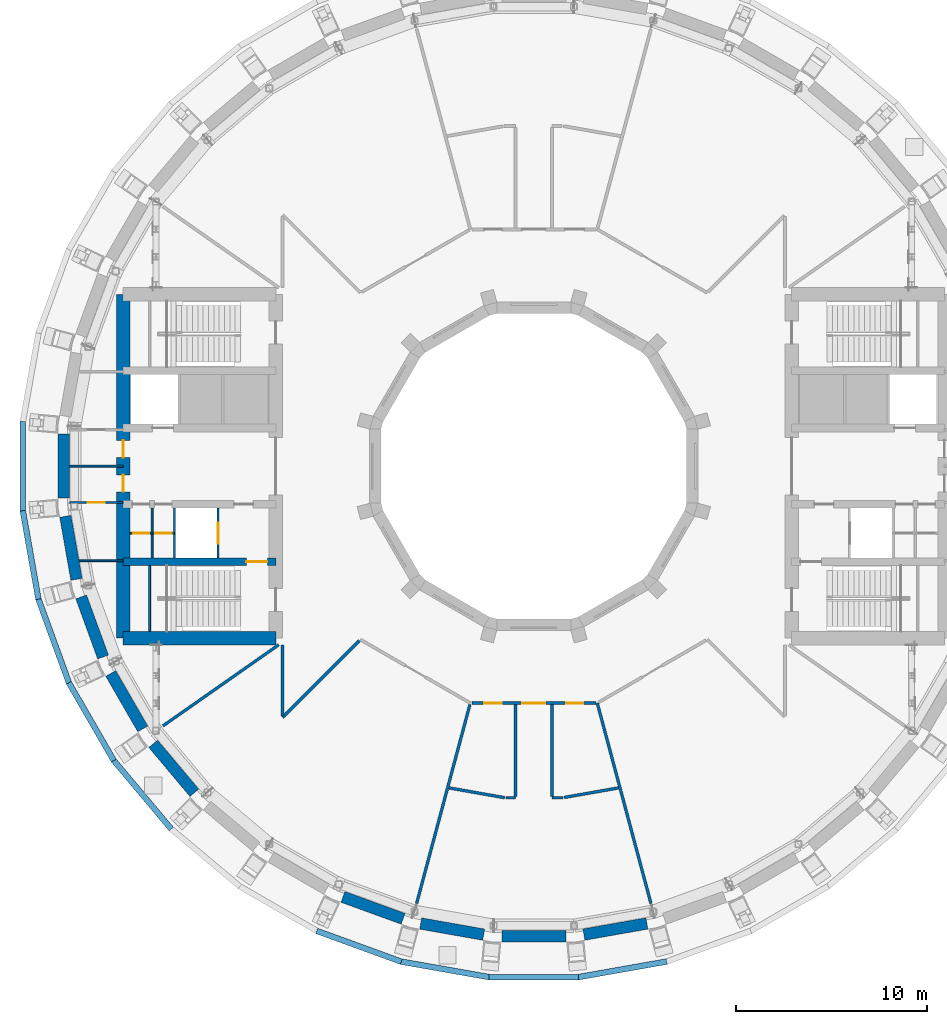
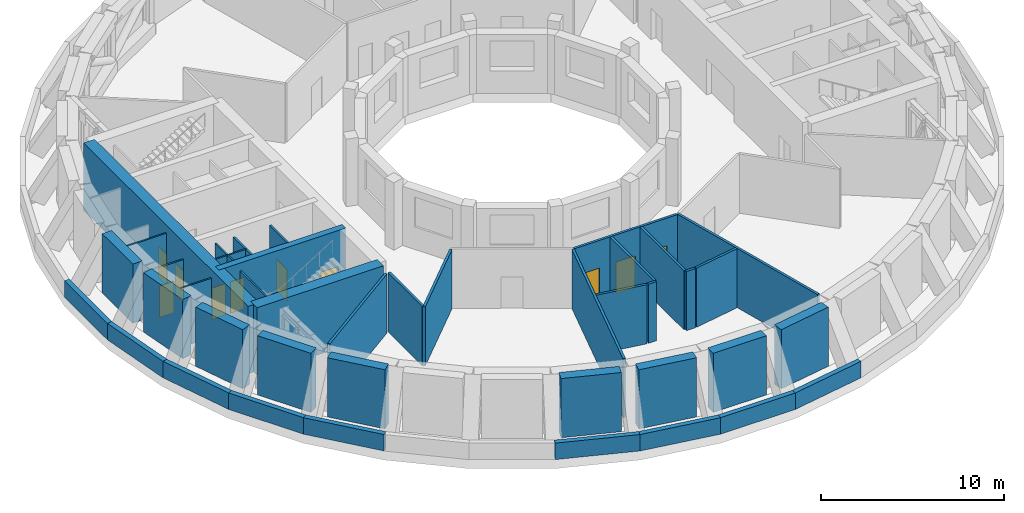
# One storey, part 10 of 20: 42 walls, 10 doors, 10 openings.
"""IFC4 building model written with IfcOpenShell, lengths in metres."""

from ifc_helpers import new_model, si_unit, direction, frame, frame_2d, origin, place, context, subcontext, project, spatial, rectangle, extrude, material, layer, layer_set, type_object, element, fill, save


model = new_model("IFC4")

# Units and contexts
model_context = context("Model", 3, precision=1e-05, world=origin(), true_north=direction((0.0, 1.0)))
body_context = subcontext(model_context, "Body", "Model", "MODEL_VIEW")
ifc_project = project(units=[si_unit("LENGTHUNIT", "METRE"), si_unit("AREAUNIT", "SQUARE_METRE"), si_unit("VOLUMEUNIT", "CUBIC_METRE"), si_unit("PLANEANGLEUNIT", "RADIAN"), si_unit("MASSUNIT", "GRAM", prefix="KILO")], contexts=[model_context])

# Site, building, storey
site_placement = place(None, origin())
site = spatial("IfcSite", under=ifc_project, at=site_placement, CompositionType="ELEMENT")
building_placement = place(site_placement, origin())
building = spatial("IfcBuilding", under=site, at=building_placement, Name="Saqina Gate Tower", CompositionType="ELEMENT")
storey_placement = place(building_placement, frame((0.0, 0.0, 151.300048828125)))
storey = spatial("IfcBuildingStorey", under=building, at=storey_placement, Name="L43", CompositionType="ELEMENT", Elevation=151.300048828125)

# Wall
ifc_material_1 = material(Name="Gypsum board on steel studs", Category="steel")
ifc_layer_1 = layer(ifc_material_1, 0.10009765625)
ifc_layer_set_1 = layer_set([ifc_layer_1], Name="CORE PARTITION")
wall_type_1 = type_object("IfcWallType", Name="CORE PARTITION", PredefinedType="PARTITIONING", material=ifc_layer_set_1)
wall_1_placement = place(storey_placement, frame((-21.5, -4.949951171875, 0.0), z_axis=(0.0, 0.0, 1.0), x_axis=(-1.0, 0.0, 0.0)))
element("IfcWall", 1, at=wall_1_placement, inside=storey, type_object=wall_type_1, Name="L43-CP-W03", PredefinedType="PARTITIONING", context=body_context, shape_type="SweptSolid", body=[
    extrude(rectangle(XDim=2.306884765625, YDim=0.10009765625, at=frame_2d((1.1533203125, 0.0))), origin(), (0.0, 0.0, 1.0), 3.949951171875),
])

# Wall, opening, door
wall_2_placement = place(storey_placement, frame((-21.5, -1.89990234375, 0.0), z_axis=(0.0, 0.0, 1.0), x_axis=(-1.0, 0.0, 0.0)))
wall_2 = element("IfcWall", 2, at=wall_2_placement, inside=storey, type_object=wall_type_1, Name="L43-CP-W04", PredefinedType="PARTITIONING", context=body_context, shape_type="SweptSolid", body=[
    extrude(rectangle(XDim=2.804931640625, YDim=0.10009765625, at=frame_2d((1.40234375, 0.0))), origin(), (0.0, 0.0, 1.0), 3.35595703125),
])
opening_1_placement = place(wall_2_placement, frame((0.952392578125, 0.0, 0.0)))
opening_1 = element("IfcOpeningElement", 3, at=opening_1_placement, cuts=wall_2, Name="Opening L43-D108", PredefinedType="OPENING", context=body_context, shape_type="SweptSolid", body=[
    extrude(rectangle(XDim=0.89990234375, YDim=2.10009765625, at=frame_2d((0.449951171875, 1.050048828125))), frame((0.0, 0.06201171875, 0.0), z_axis=(0.0, -1.0, 0.0), x_axis=(1.0, 0.0, 0.0)), (0.0, 0.0, 1.0), 0.1240234375),
])
ifc_material_2 = material(Name="Steel-framed fire door leaf, EI 60", Category="steel")
door_type_1 = type_object("IfcDoorType", Name="SERVICE ROOM DOOR 900", OperationType="SINGLE_SWING_LEFT", PredefinedType="DOOR", material=ifc_material_2)
door_1_placement = place(opening_1_placement, origin())
door_1 = element("IfcDoor", 4, at=door_1_placement, inside=storey, type_object=door_type_1, Name="L43-CD-W19", OperationType="SINGLE_SWING_LEFT", OverallHeight=2.10009765625, OverallWidth=0.89990234375, PredefinedType="DOOR", context=body_context, shape_type="SweptSolid", body=[
    extrude(rectangle(XDim=0.89990234375, YDim=2.10009765625, at=frame_2d((0.449951171875, 1.050048828125))), frame((0.0, 0.02490234375, 0.0), z_axis=(0.0, -1.0, 0.0), x_axis=(1.0, 0.0, 0.0)), (0.0, 0.0, 1.0), 0.050048828125),
])
fill(opening_1, door_1)

# Walls
wall_3_placement = place(storey_placement, frame((-21.5, 0.0, 0.0), z_axis=(0.0, 0.0, 1.0), x_axis=(-1.0, 0.0, 0.0)))
element("IfcWall", 5, at=wall_3_placement, inside=storey, type_object=wall_type_1, Name="L43-CP-W05", PredefinedType="PARTITIONING", context=body_context, shape_type="SweptSolid", body=[
    extrude(rectangle(XDim=2.804931640625, YDim=0.10009765625, at=frame_2d((1.40234375, 0.0))), origin(), (0.0, 0.0, 1.0), 3.949951171875),
])
wall_4_placement = place(storey_placement, frame((-19.97998046875, -4.800048828125, 0.0), z_axis=(0.0, 0.0, 1.0), x_axis=(0.0, 1.0, 0.0)))
element("IfcWall", 6, at=wall_4_placement, inside=storey, type_object=wall_type_1, Name="L43-CP-W10", PredefinedType="PARTITIONING", context=body_context, shape_type="SweptSolid", body=[
    extrude(rectangle(XDim=2.60009765625, YDim=0.10009765625, at=frame_2d((1.300048828125, 0.0))), origin(), (0.0, 0.0, 1.0), 3.949951171875),
])

# Wall, opening, door
wall_5_placement = place(storey_placement, frame((-18.81005859375, -3.5, 0.0), z_axis=(0.0, 0.0, 1.0), x_axis=(-1.0, 0.0, 0.0)))
wall_5 = element("IfcWall", 7, at=wall_5_placement, inside=storey, type_object=wall_type_1, Name="L43-CP-W11", PredefinedType="PARTITIONING", context=body_context, shape_type="SweptSolid", body=[
    extrude(rectangle(XDim=1.169921875, YDim=0.10009765625, at=frame_2d((0.5849609375, 0.0))), origin(), (0.0, 0.0, 1.0), 3.949951171875),
])
opening_2_placement = place(wall_5_placement, frame((0.14990234375, 0.0, 0.0)))
opening_2 = element("IfcOpeningElement", 8, at=opening_2_placement, cuts=wall_5, Name="Opening L43-D110", PredefinedType="OPENING", context=body_context, shape_type="SweptSolid", body=[
    extrude(rectangle(XDim=0.85009765625, YDim=2.10009765625, at=frame_2d((0.425048828125, 1.050048828125))), frame((0.0, 0.06201171875, 0.0), z_axis=(0.0, -1.0, 0.0), x_axis=(1.0, 0.0, 0.0)), (0.0, 0.0, 1.0), 0.1240234375),
])
ifc_material_3 = material(Name="Steel-framed fire door leaf, EI 60", Category="steel")
door_type_2 = type_object("IfcDoorType", Name="SERVICE ROOM DOOR 850", OperationType="SINGLE_SWING_LEFT", PredefinedType="DOOR", material=ifc_material_3)
door_2_placement = place(opening_2_placement, origin())
door_2 = element("IfcDoor", 9, at=door_2_placement, inside=storey, type_object=door_type_2, Name="L43-CD-W21", OperationType="SINGLE_SWING_LEFT", OverallHeight=2.10009765625, OverallWidth=0.85009765625, PredefinedType="DOOR", context=body_context, shape_type="SweptSolid", body=[
    extrude(rectangle(XDim=0.85009765625, YDim=2.10009765625, at=frame_2d((0.425048828125, 1.050048828125))), frame((0.0, 0.02490234375, 0.0), z_axis=(0.0, -1.0, 0.0), x_axis=(1.0, 0.0, 0.0)), (0.0, 0.0, 1.0), 0.050048828125),
])
fill(opening_2, door_2)

wall_6_placement = place(storey_placement, frame((-19.97998046875, -3.5, 0.0), z_axis=(0.0, 0.0, 1.0), x_axis=(-1.0, 0.0, 0.0)))
wall_6 = element("IfcWall", 10, at=wall_6_placement, inside=storey, type_object=wall_type_1, Name="L43-CP-W12", PredefinedType="PARTITIONING", context=body_context, shape_type="SweptSolid", body=[
    extrude(rectangle(XDim=1.169921875, YDim=0.10009765625, at=frame_2d((0.5849609375, 0.0))), origin(), (0.0, 0.0, 1.0), 3.949951171875),
])
opening_3_placement = place(wall_6_placement, frame((0.14990234375, 0.0, 0.0)))
opening_3 = element("IfcOpeningElement", 11, at=opening_3_placement, cuts=wall_6, Name="Opening L43-D111", PredefinedType="OPENING", context=body_context, shape_type="SweptSolid", body=[
    extrude(rectangle(XDim=0.85009765625, YDim=2.10009765625, at=frame_2d((0.425048828125, 1.050048828125))), frame((0.0, 0.06201171875, 0.0), z_axis=(0.0, -1.0, 0.0), x_axis=(1.0, 0.0, 0.0)), (0.0, 0.0, 1.0), 0.1240234375),
])
door_3_placement = place(opening_3_placement, origin())
door_3 = element("IfcDoor", 12, at=door_3_placement, inside=storey, type_object=door_type_2, Name="L43-CD-W22", OperationType="SINGLE_SWING_RIGHT", OverallHeight=2.10009765625, OverallWidth=0.85009765625, PredefinedType="DOOR", context=body_context, shape_type="SweptSolid", body=[
    extrude(rectangle(XDim=0.85009765625, YDim=2.10009765625, at=frame_2d((0.425048828125, 1.050048828125))), frame((0.0, 0.02490234375, 0.0), z_axis=(0.0, -1.0, 0.0), x_axis=(1.0, 0.0, 0.0)), (0.0, 0.0, 1.0), 0.050048828125),
])
fill(opening_3, door_3)

# Walls
ifc_material_4 = material(Name="Brick masonry (buff)", Category="masonry")
ifc_layer_2 = layer(ifc_material_4, 0.60009765625)
ifc_layer_set_2 = layer_set([ifc_layer_2], Name="FW-BRICK-BUFF")
wall_type_2 = type_object("IfcWallType", Name="FW-BRICK-BUFF", PredefinedType="SOLIDWALL", material=ifc_layer_set_2)
for number, where, z_axis, x_axis, name in (
    (13, (-22.145751953125, -10.85205078125, 0.0), (0.0, 0.0, 1.0), (0.499972744263, -0.866041139319, 0.0), "Facade wall L43 facet 21"),
    (14, (-19.9248046875, -14.53271484375, 0.0), (0.0, 0.0, 1.0), (0.642747524428, -0.766078076858, 0.0), "Facade wall L43 facet 22"),
    (15, (-9.989013671875, -22.54833984375, 0.0), (0.0, 0.0, 1.0), (0.939699748315, -0.342000559967, 0.0), "Facade wall L43 facet 25"),
):
    element("IfcWall", number, at=place(storey_placement, frame(where, z_axis=z_axis, x_axis=x_axis)), inside=storey, type_object=wall_type_2, Name=name, PredefinedType="SOLIDWALL", context=body_context, shape_type="SweptSolid", body=[
        extrude(rectangle(XDim=3.349365234375, YDim=0.60009765625, at=frame_2d((1.6748046875, 0.0))), origin(), (0.0, 0.0, 1.0), 3.949951171875),
    ])
wall_7_placement = place(storey_placement, frame((-5.921875, -23.940185546875, 0.0), z_axis=(0.0, 0.0, 1.0), x_axis=(0.984799697712, -0.173693855351, 0.0)))
element("IfcWall", 16, at=wall_7_placement, inside=storey, type_object=wall_type_2, Name="Facade wall L43 facet 26", PredefinedType="SOLIDWALL", context=body_context, shape_type="SweptSolid", body=[
    extrude(rectangle(XDim=3.349609375, YDim=0.60009765625, at=frame_2d((1.6748046875, 0.0))), origin(), (0.0, 0.0, 1.0), 3.949951171875),
])
wall_8_placement = place(storey_placement, frame((-1.674560546875, -24.60498046875, 0.0), z_axis=(0.0, 0.0, 1.0), x_axis=(1.0, 0.0, 0.0)))
element("IfcWall", 17, at=wall_8_placement, inside=storey, type_object=wall_type_2, Name="Facade wall L43 facet 27", PredefinedType="SOLIDWALL", context=body_context, shape_type="SweptSolid", body=[
    extrude(rectangle(XDim=3.34912109375, YDim=0.60009765625, at=frame_2d((1.674560546875, 0.0))), origin(), (0.0, 0.0, 1.0), 3.949951171875),
])
wall_9_placement = place(storey_placement, frame((2.623291015625, -24.52197265625, 0.0), z_axis=(0.0, 0.0, 1.0), x_axis=(0.984799697712, 0.173693855351, 0.0)))
element("IfcWall", 18, at=wall_9_placement, inside=storey, type_object=wall_type_2, Name="Facade wall L43 facet 28", PredefinedType="SOLIDWALL", context=body_context, shape_type="SweptSolid", body=[
    extrude(rectangle(XDim=3.349609375, YDim=0.60009765625, at=frame_2d((1.6748046875, 0.0))), origin(), (0.0, 0.0, 1.0), 3.949951171875),
])
ifc_material_5 = material(Name="Glazed ceramic tile", Category="ceramic")
ifc_layer_3 = layer(ifc_material_5, 0.60009765625)
ifc_layer_set_3 = layer_set([ifc_layer_3], Name="FW-TILE")
wall_type_3 = type_object("IfcWallType", Name="FW-TILE", PredefinedType="SOLIDWALL", material=ifc_layer_set_3)
wall_10_placement = place(storey_placement, frame((-24.60498046875, 1.674560546875, 0.0), z_axis=(0.0, 0.0, 1.0), x_axis=(0.0, -1.0, 0.0)))
element("IfcWall", 19, at=wall_10_placement, inside=storey, type_object=wall_type_3, Name="Facade wall L43 facet 18", PredefinedType="SOLIDWALL", context=body_context, shape_type="SweptSolid", body=[
    extrude(rectangle(XDim=3.34912109375, YDim=0.60009765625, at=frame_2d((1.674560546875, 0.0))), origin(), (0.0, 0.0, 1.0), 3.949951171875),
])
wall_11_placement = place(storey_placement, frame((-23.69384765625, -6.841552734375, 0.0), z_axis=(0.0, 0.0, 1.0), x_axis=(0.342000559967, -0.939699748315, 0.0)))
element("IfcWall", 20, at=wall_11_placement, inside=storey, type_object=wall_type_3, Name="Facade wall L43 facet 20", PredefinedType="SOLIDWALL", context=body_context, shape_type="SweptSolid", body=[
    extrude(rectangle(XDim=3.349365234375, YDim=0.60009765625, at=frame_2d((1.6748046875, 0.0))), origin(), (0.0, 0.0, 1.0), 3.949951171875),
])
ifc_material_6 = material(Name="Glazed ceramic tile (dark blue)", Category="ceramic")
ifc_layer_4 = layer(ifc_material_6, 0.60009765625)
ifc_layer_set_4 = layer_set([ifc_layer_4], Name="FW-TILE-CB")
wall_type_4 = type_object("IfcWallType", Name="FW-TILE-CB", PredefinedType="SOLIDWALL", material=ifc_layer_set_4)
wall_12_placement = place(storey_placement, frame((-24.52197265625, -2.623291015625, 0.0), z_axis=(0.0, 0.0, 1.0), x_axis=(0.173693855351, -0.984799697712, 0.0)))
element("IfcWall", 21, at=wall_12_placement, inside=storey, type_object=wall_type_4, Name="Facade wall L43 facet 19", PredefinedType="SOLIDWALL", context=body_context, shape_type="SweptSolid", body=[
    extrude(rectangle(XDim=3.349609375, YDim=0.60009765625, at=frame_2d((1.6748046875, 0.0))), origin(), (0.0, 0.0, 1.0), 3.949951171875),
])
ifc_material_7 = material(Name="Brick masonry (buff)", Category="masonry")
ifc_layer_5 = layer(ifc_material_7, 0.300048828125)
ifc_layer_set_5 = layer_set([ifc_layer_5], Name="PA-ROOF")
wall_type_5 = type_object("IfcWallType", Name="PA-ROOF", PredefinedType="PARAPET", material=ifc_layer_set_5)
for number, where, z_axis, x_axis, name in (
    (22, (-26.747314453125, 2.353271484375, 0.0), (0.0, 0.0, 1.0), (0.0, -1.0, 0.0), "Parapet L43 edge 18"),
    (23, (-26.74951171875, -2.3271484375, 0.0), (0.0, 0.0, 1.0), (0.173619615708, -0.984812788829, 0.0), "Parapet L43 edge 19"),
):
    element("IfcWall", number, at=place(storey_placement, frame(where, z_axis=z_axis, x_axis=x_axis)), inside=storey, type_object=wall_type_5, Name=name, PredefinedType="PARAPET", context=body_context, shape_type="SweptSolid", body=[
        extrude(rectangle(XDim=4.70654296875, YDim=0.300048828125, at=frame_2d((2.353271484375, 0.0))), origin(), (0.0, 0.0, 1.0), 1.099853515625),
    ])
for number, where, z_axis, x_axis, name in (
    (24, (-25.93896484375, -6.936767578125, 0.0), (0.0, 0.0, 1.0), (0.342005449033, -0.939697968941, 0.0), "Parapet L43 edge 20"),
    (25, (-24.34033203125, -11.335693359375, 0.0), (0.0, 0.0, 1.0), (0.499966433809, -0.866044782366, 0.0), "Parapet L43 edge 21"),
):
    element("IfcWall", number, at=place(storey_placement, frame(where, z_axis=z_axis, x_axis=x_axis)), inside=storey, type_object=wall_type_5, Name=name, PredefinedType="PARAPET", context=body_context, shape_type="SweptSolid", body=[
        extrude(rectangle(XDim=4.706298828125, YDim=0.300048828125, at=frame_2d((2.35302734375, 0.0))), origin(), (0.0, 0.0, 1.0), 1.099853515625),
    ])
wall_13_placement = place(storey_placement, frame((-22.002197265625, -15.39013671875, 0.0), z_axis=(0.0, 0.0, 1.0), x_axis=(0.642762546038, -0.766065473319, 0.0)))
element("IfcWall", 26, at=wall_13_placement, inside=storey, type_object=wall_type_5, Name="Parapet L43 edge 22", PredefinedType="PARAPET", context=body_context, shape_type="SweptSolid", body=[
    extrude(rectangle(XDim=4.70654296875, YDim=0.300048828125, at=frame_2d((2.353271484375, 0.0))), origin(), (0.0, 0.0, 1.0), 1.099853515625),
])
wall_14_placement = place(storey_placement, frame((-11.359375, -24.329345703125, 0.0), z_axis=(0.0, 0.0, 1.0), x_axis=(0.939697968941, -0.342005449033, 0.0)))
element("IfcWall", 27, at=wall_14_placement, inside=storey, type_object=wall_type_5, Name="Parapet L43 edge 25", PredefinedType="PARAPET", context=body_context, shape_type="SweptSolid", body=[
    extrude(rectangle(XDim=4.706298828125, YDim=0.300048828125, at=frame_2d((2.35302734375, 0.0))), origin(), (0.0, 0.0, 1.0), 1.099853515625),
])
for number, where, z_axis, x_axis, name in (
    (28, (-6.962158203125, -25.932373046875, 0.0), (0.0, 0.0, 1.0), (0.984812788829, -0.173619615708, 0.0), "Parapet L43 edge 26"),
    (29, (-2.353271484375, -26.747314453125, 0.0), (0.0, 0.0, 1.0), (1.0, 0.0, 0.0), "Parapet L43 edge 27"),
    (30, (2.3271484375, -26.74951171875, 0.0), (0.0, 0.0, 1.0), (0.984812788829, 0.173619615708, 0.0), "Parapet L43 edge 28"),
):
    element("IfcWall", number, at=place(storey_placement, frame(where, z_axis=z_axis, x_axis=x_axis)), inside=storey, type_object=wall_type_5, Name=name, PredefinedType="PARAPET", context=body_context, shape_type="SweptSolid", body=[
        extrude(rectangle(XDim=4.70654296875, YDim=0.300048828125, at=frame_2d((2.353271484375, 0.0))), origin(), (0.0, 0.0, 1.0), 1.099853515625),
    ])

# Wall, opening, door
ifc_material_8 = material(Name="Autoclaved aerated concrete block", Category="concrete")
ifc_layer_6 = layer(ifc_material_8, 0.1201171875)
ifc_layer_set_6 = layer_set([ifc_layer_6], Name="SHAFT PARTITION")
wall_type_6 = type_object("IfcWallType", Name="SHAFT PARTITION", PredefinedType="PARTITIONING", material=ifc_layer_set_6)
wall_15_placement = place(storey_placement, frame((-16.530029296875, -4.800048828125, 0.0), z_axis=(0.0, 0.0, 1.0), x_axis=(0.0, 1.0, 0.0)))
wall_15 = element("IfcWall", 31, at=wall_15_placement, inside=storey, type_object=wall_type_6, Name="L43-CP-W08", PredefinedType="PARTITIONING", context=body_context, shape_type="SweptSolid", body=[
    extrude(rectangle(XDim=2.60009765625, YDim=0.1201171875, at=frame_2d((1.300048828125, 0.0))), origin(), (0.0, 0.0, 1.0), 3.949951171875),
])
opening_4_placement = place(wall_15_placement, frame((0.75, 0.0, 0.0)))
opening_4 = element("IfcOpeningElement", 32, at=opening_4_placement, cuts=wall_15, Name="Opening L43-LD4", PredefinedType="OPENING", context=body_context, shape_type="SweptSolid", body=[
    extrude(rectangle(XDim=1.10009765625, YDim=2.10009765625, at=frame_2d((0.550048828125, 1.050048828125))), frame((0.0, 0.072021484375, 0.0), z_axis=(0.0, -1.0, 0.0), x_axis=(1.0, 0.0, 0.0)), (0.0, 0.0, 1.0), 0.14404296875),
])
ifc_material_9 = material(Name="Stainless steel", Category="steel")
door_type_3 = type_object("IfcDoorType", Name="LANDING DOOR", OperationType="DOUBLE_DOOR_SLIDING", PredefinedType="DOOR", material=ifc_material_9)
door_4_placement = place(opening_4_placement, origin())
door_4 = element("IfcDoor", 33, at=door_4_placement, inside=storey, type_object=door_type_3, Name="LANDING DOOR FF2", OperationType="DOUBLE_DOOR_SLIDING", OverallHeight=2.10009765625, OverallWidth=1.10009765625, PredefinedType="DOOR", context=body_context, shape_type="SweptSolid", body=[
    extrude(rectangle(XDim=1.10009765625, YDim=2.10009765625, at=frame_2d((0.550048828125, 1.050048828125))), frame((0.0, 0.02490234375, 0.0), z_axis=(0.0, -1.0, 0.0), x_axis=(1.0, 0.0, 0.0)), (0.0, 0.0, 1.0), 0.050048828125),
])
fill(opening_4, door_4)

# Walls
wall_16_placement = place(storey_placement, frame((-18.81005859375, -4.800048828125, 0.0), z_axis=(0.0, 0.0, 1.0), x_axis=(0.0, 1.0, 0.0)))
element("IfcWall", 34, at=wall_16_placement, inside=storey, type_object=wall_type_6, Name="L43-CP-W09", PredefinedType="PARTITIONING", context=body_context, shape_type="SweptSolid", body=[
    extrude(rectangle(XDim=2.60009765625, YDim=0.1201171875, at=frame_2d((1.300048828125, 0.0))), origin(), (0.0, 0.0, 1.0), 3.949951171875),
])
ifc_material_10 = material(Name="Masonry block and plaster, 150 mm, fire rated", Category="masonry")
ifc_layer_7 = layer(ifc_material_10, 0.14990234375)
ifc_layer_set_7 = layer_set([ifc_layer_7], Name="SPECIAL PARTITION EI 60 150")
wall_type_7 = type_object("IfcWallType", Name="SPECIAL PARTITION EI 60 150", PredefinedType="PARTITIONING", material=ifc_layer_set_7)
wall_17_placement = place(storey_placement, frame((3.322998046875, -12.39990234375, 0.0), z_axis=(0.0, 0.0, 1.0), x_axis=(0.258769040429, -0.965939223614, 0.0)))
element("IfcWall", 35, at=wall_17_placement, inside=storey, type_object=wall_type_7, Name="PARTITION 002", PredefinedType="PARTITIONING", context=body_context, shape_type="SweptSolid", body=[
    extrude(rectangle(XDim=10.862060546875, YDim=0.14990234375, at=frame_2d((5.43115234375, 0.0))), origin(), (0.0, 0.0, 1.0), 3.949951171875),
])
wall_18_placement = place(storey_placement, frame((-4.43505859375, -16.841064453125, 0.0), z_axis=(0.0, 0.0, 1.0), x_axis=(0.984832477794, -0.173507898038, 0.0)))
element("IfcWall", 36, at=wall_18_placement, inside=storey, type_object=wall_type_7, Name="PARTITION 009", PredefinedType="PARTITIONING", context=body_context, shape_type="SweptSolid", body=[
    extrude(rectangle(XDim=2.9619140625, YDim=0.14990234375, at=frame_2d((1.48095703125, 0.0))), origin(), (0.0, 0.0, 1.0), 3.949951171875),
])
wall_19_placement = place(storey_placement, frame((-1.443115234375, -17.35498046875, 0.0), z_axis=(0.0, 0.0, 1.0), x_axis=(1.0, 0.0, 0.0)))
element("IfcWall", 37, at=wall_19_placement, inside=storey, type_object=wall_type_7, Name="PARTITION 011", PredefinedType="PARTITIONING", context=body_context, shape_type="SweptSolid", body=[
    extrude(rectangle(XDim=0.4931640625, YDim=0.14990234375, at=frame_2d((0.24658203125, 0.0))), origin(), (0.0, 0.0, 1.0), 3.949951171875),
])
wall_20_placement = place(storey_placement, frame((0.949951171875, -17.35498046875, 0.0), z_axis=(0.0, 0.0, 1.0), x_axis=(1.0, 0.0, 0.0)))
element("IfcWall", 38, at=wall_20_placement, inside=storey, type_object=wall_type_7, Name="PARTITION 012", PredefinedType="PARTITIONING", context=body_context, shape_type="SweptSolid", body=[
    extrude(rectangle(XDim=0.568115234375, YDim=0.14990234375, at=frame_2d((0.2841796875, 0.0))), origin(), (0.0, 0.0, 1.0), 3.949951171875),
])

# Wall, openings, doors
wall_21_placement = place(storey_placement, frame((-3.248046875, -12.39990234375, 0.0), z_axis=(0.0, 0.0, 1.0), x_axis=(1.0, 0.0, 0.0)))
wall_21 = element("IfcWall", 39, at=wall_21_placement, inside=storey, type_object=wall_type_7, Name="PARTITION 013", PredefinedType="PARTITIONING", context=body_context, shape_type="SweptSolid", body=[
    extrude(rectangle(XDim=6.49609375, YDim=0.14990234375, at=frame_2d((3.248046875, 0.0))), origin(), (0.0, 0.0, 1.0), 3.949951171875),
])
opening_5_placement = place(wall_21_placement, frame((0.66162109375, 0.0, 0.0)))
opening_5 = element("IfcOpeningElement", 40, at=opening_5_placement, cuts=wall_21, Name="Opening L43-D07", PredefinedType="OPENING", context=body_context, shape_type="SweptSolid", body=[
    extrude(rectangle(XDim=0.89990234375, YDim=2.10009765625, at=frame_2d((0.449951171875, 1.050048828125))), frame((0.0, 0.0869140625, 0.0), z_axis=(0.0, -1.0, 0.0), x_axis=(1.0, 0.0, 0.0)), (0.0, 0.0, 1.0), 0.173828125),
])
opening_6_placement = place(wall_21_placement, frame((2.64794921875, 0.0, 0.0)))
opening_6 = element("IfcOpeningElement", 41, at=opening_6_placement, cuts=wall_21, Name="Opening L43-D08", PredefinedType="OPENING", context=body_context, shape_type="SweptSolid", body=[
    extrude(rectangle(XDim=1.199951171875, YDim=2.10009765625, at=frame_2d((0.60009765625, 1.050048828125))), frame((0.0, 0.0869140625, 0.0), z_axis=(0.0, -1.0, 0.0), x_axis=(1.0, 0.0, 0.0)), (0.0, 0.0, 1.0), 0.173828125),
])
opening_7_placement = place(wall_21_placement, frame((4.9345703125, 0.0, 0.0)))
opening_7 = element("IfcOpeningElement", 42, at=opening_7_placement, cuts=wall_21, Name="Opening L43-D09", PredefinedType="OPENING", context=body_context, shape_type="SweptSolid", body=[
    extrude(rectangle(XDim=0.89990234375, YDim=2.10009765625, at=frame_2d((0.449951171875, 1.050048828125))), frame((0.0, 0.0869140625, 0.0), z_axis=(0.0, -1.0, 0.0), x_axis=(1.0, 0.0, 0.0)), (0.0, 0.0, 1.0), 0.173828125),
])
ifc_material_11 = material(Name="Steel-framed fire door leaf, EI 60", Category="steel")
door_type_4 = type_object("IfcDoorType", Name="SPECIAL DOOR 1200 FIRE EI 60", OperationType="SINGLE_SWING_LEFT", PredefinedType="DOOR", material=ifc_material_11)
door_5_placement = place(opening_6_placement, origin())
door_5 = element("IfcDoor", 43, at=door_5_placement, inside=storey, type_object=door_type_4, Name="DOOR L43-D08", OperationType="SINGLE_SWING_LEFT", OverallHeight=2.10009765625, OverallWidth=1.199951171875, PredefinedType="DOOR", context=body_context, shape_type="SweptSolid", body=[
    extrude(rectangle(XDim=1.199951171875, YDim=2.10009765625, at=frame_2d((0.60009765625, 1.050048828125))), frame((0.0, 0.02490234375, 0.0), z_axis=(0.0, -1.0, 0.0), x_axis=(1.0, 0.0, 0.0)), (0.0, 0.0, 1.0), 0.050048828125),
])
fill(opening_6, door_5)
ifc_material_12 = material(Name="Steel-framed fire door leaf, EI 60", Category="steel")
door_type_5 = type_object("IfcDoorType", Name="SPECIAL DOOR 900 FIRE EI 60", OperationType="SINGLE_SWING_LEFT", PredefinedType="DOOR", material=ifc_material_12)
door_6_placement = place(opening_5_placement, frame((0.89990234375, 0.0, 0.0), z_axis=(0.0, 0.0, 1.0), x_axis=(-1.0, 0.0, 0.0)))
door_6 = element("IfcDoor", 44, at=door_6_placement, inside=storey, type_object=door_type_5, Name="DOOR L43-D07", OperationType="SINGLE_SWING_RIGHT", OverallHeight=2.10009765625, OverallWidth=0.89990234375, PredefinedType="DOOR", context=body_context, shape_type="SweptSolid", body=[
    extrude(rectangle(XDim=0.89990234375, YDim=2.10009765625, at=frame_2d((0.449951171875, 1.050048828125))), frame((0.0, 0.02490234375, 0.0), z_axis=(0.0, -1.0, 0.0), x_axis=(1.0, 0.0, 0.0)), (0.0, 0.0, 1.0), 0.050048828125),
])
fill(opening_5, door_6)
door_7_placement = place(opening_7_placement, frame((0.89990234375, 0.0, 0.0), z_axis=(0.0, 0.0, 1.0), x_axis=(-1.0, 0.0, 0.0)))
door_7 = element("IfcDoor", 45, at=door_7_placement, inside=storey, type_object=door_type_5, Name="DOOR L43-D09", OperationType="SINGLE_SWING_LEFT", OverallHeight=2.10009765625, OverallWidth=0.89990234375, PredefinedType="DOOR", context=body_context, shape_type="SweptSolid", body=[
    extrude(rectangle(XDim=0.89990234375, YDim=2.10009765625, at=frame_2d((0.449951171875, 1.050048828125))), frame((0.0, 0.02490234375, 0.0), z_axis=(0.0, -1.0, 0.0), x_axis=(1.0, 0.0, 0.0)), (0.0, 0.0, 1.0), 0.050048828125),
])
fill(opening_7, door_7)

# Walls
wall_22_placement = place(storey_placement, frame((1.591796875, -17.342041015625, 0.0), z_axis=(0.0, 0.0, 1.0), x_axis=(0.984829495264, 0.173524826059, 0.0)))
element("IfcWall", 46, at=wall_22_placement, inside=storey, type_object=wall_type_7, Name="PARTITION 017", PredefinedType="PARTITIONING", context=body_context, shape_type="SweptSolid", body=[
    extrude(rectangle(XDim=2.886962890625, YDim=0.14990234375, at=frame_2d((1.443359375, 0.0))), origin(), (0.0, 0.0, 1.0), 3.949951171875),
])
wall_23_placement = place(storey_placement, frame((-19.4140625, -13.593994140625, 0.0), z_axis=(0.0, 0.0, 1.0), x_axis=(0.819157506644, 0.573568635221, 0.0)))
element("IfcWall", 47, at=wall_23_placement, inside=storey, type_object=wall_type_7, Name="PARTITION 021", PredefinedType="PARTITIONING", context=body_context, shape_type="SweptSolid", body=[
    extrude(rectangle(XDim=7.399169921875, YDim=0.14990234375, at=frame_2d((3.69970703125, 0.0))), origin(), (0.0, 0.0, 1.0), 3.949951171875),
])
wall_24_placement = place(storey_placement, frame((-13.14990234375, -13.14990234375, 0.0), z_axis=(0.0, 0.0, 1.0), x_axis=(0.707106781187, 0.707106781187, 0.0)))
element("IfcWall", 48, at=wall_24_placement, inside=storey, type_object=wall_type_7, Name="PARTITION 023", PredefinedType="PARTITIONING", context=body_context, shape_type="SweptSolid", body=[
    extrude(rectangle(XDim=5.68505859375, YDim=0.14990234375, at=frame_2d((2.842529296875, 0.0))), origin(), (0.0, 0.0, 1.0), 3.949951171875),
])
wall_25_placement = place(storey_placement, frame((-6.134033203125, -22.89208984375, 0.0), z_axis=(0.0, 0.0, 1.0), x_axis=(0.258802076295, 0.965930372908, 0.0)))
element("IfcWall", 49, at=wall_25_placement, inside=storey, type_object=wall_type_7, Name="PARTITION 025", PredefinedType="PARTITIONING", context=body_context, shape_type="SweptSolid", body=[
    extrude(rectangle(XDim=10.787109375, YDim=0.14990234375, at=frame_2d((5.3935546875, 0.0))), origin(), (0.0, 0.0, 1.0), 3.949951171875),
])
for number, where, z_axis, x_axis, name in (
    (50, (0.949951171875, -17.280029296875, 0.0), (0.0, 0.0, 1.0), (0.0, 1.0, 0.0), "PARTITION 029"),
    (51, (-0.949951171875, -17.280029296875, 0.0), (0.0, 0.0, 1.0), (0.0, 1.0, 0.0), "PARTITION 031"),
):
    element("IfcWall", number, at=place(storey_placement, frame(where, z_axis=z_axis, x_axis=x_axis)), inside=storey, type_object=wall_type_7, Name=name, PredefinedType="PARTITIONING", context=body_context, shape_type="SweptSolid", body=[
        extrude(rectangle(XDim=4.804931640625, YDim=0.14990234375, at=frame_2d((2.40234375, 0.0))), origin(), (0.0, 0.0, 1.0), 3.949951171875),
    ])
wall_26_placement = place(storey_placement, frame((-13.14990234375, -13.074951171875, 0.0), z_axis=(0.0, 0.0, 1.0), x_axis=(0.0, 1.0, 0.0)))
element("IfcWall", 52, at=wall_26_placement, inside=storey, type_object=wall_type_7, Name="PARTITION 033", PredefinedType="PARTITIONING", context=body_context, shape_type="SweptSolid", body=[
    extrude(rectangle(XDim=3.724853515625, YDim=0.14990234375, at=frame_2d((1.8623046875, 0.0))), origin(), (0.0, 0.0, 1.0), 3.949951171875),
])
ifc_material_13 = material(Name="Autoclaved aerated concrete block", Category="concrete")
ifc_layer_8 = layer(ifc_material_13, 0.10009765625)
ifc_layer_set_8 = layer_set([ifc_layer_8], Name="STAIR ENCLOSURE WALL")
wall_type_8 = type_object("IfcWallType", Name="STAIR ENCLOSURE WALL", PredefinedType="PARTITIONING", material=ifc_layer_set_8)
wall_27_placement = place(storey_placement, frame((-20.110107421875, -8.64990234375, 0.0), z_axis=(0.0, 0.0, 1.0), x_axis=(0.0, 1.0, 0.0)))
element("IfcWall", 53, at=wall_27_placement, inside=storey, type_object=wall_type_8, Name="L43-CP-W14", PredefinedType="PARTITIONING", context=body_context, shape_type="SweptSolid", body=[
    extrude(rectangle(XDim=3.449951171875, YDim=0.10009765625, at=frame_2d((1.72509765625, 0.0))), origin(), (0.0, 0.0, 1.0), 3.949951171875),
])

# Wall, opening, door
ifc_material_14 = material(Name="Concrete C60/75", Category="concrete")
ifc_layer_9 = layer(ifc_material_14, 0.39990234375)
ifc_layer_set_9 = layer_set([ifc_layer_9], Name="Concrete C60/75")
wall_type_9 = type_object("IfcWallType", Name="STR-CORE WALL-C-I", PredefinedType="SHEAR", material=ifc_layer_set_9)
wall_28_placement = place(storey_placement, frame((-13.5, -5.0, 0.0), z_axis=(0.0, 0.0, 1.0), x_axis=(-1.0, 0.0, 0.0)))
wall_28 = element("IfcWall", 54, at=wall_28_placement, inside=storey, type_object=wall_type_9, Name="CORE WALL L43 W-X2", PredefinedType="SHEAR", context=body_context, shape_type="SweptSolid", body=[
    extrude(rectangle(XDim=8.0, YDim=0.39990234375, at=frame_2d((4.0, 0.0))), origin(), (0.0, 0.0, 1.0), 4.5),
])
opening_8_placement = place(wall_28_placement, frame((0.449951171875, 0.0, 0.0)))
opening_8 = element("IfcOpeningElement", 55, at=opening_8_placement, cuts=wall_28, Name="Opening L43-D112", PredefinedType="OPENING", context=body_context, shape_type="SweptSolid", body=[
    extrude(rectangle(XDim=1.10009765625, YDim=2.10009765625, at=frame_2d((0.550048828125, 1.050048828125))), frame((0.0, 0.2119140625, 0.0), z_axis=(0.0, -1.0, 0.0), x_axis=(1.0, 0.0, 0.0)), (0.0, 0.0, 1.0), 0.423828125),
])
ifc_material_15 = material(Name="Steel", Category="steel")
door_type_6 = type_object("IfcDoorType", Name="FIRE LOBBY DOOR EI 60 WIDE", OperationType="SINGLE_SWING_LEFT", PredefinedType="DOOR", material=ifc_material_15)
door_8_placement = place(opening_8_placement, origin())
door_8 = element("IfcDoor", 56, at=door_8_placement, inside=storey, type_object=door_type_6, Name="L43-CD-W23", OperationType="SINGLE_SWING_LEFT", OverallHeight=2.10009765625, OverallWidth=1.10009765625, PredefinedType="DOOR", context=body_context, shape_type="SweptSolid", body=[
    extrude(rectangle(XDim=1.10009765625, YDim=2.10009765625, at=frame_2d((0.550048828125, 1.050048828125))), frame((0.0, 0.02490234375, 0.0), z_axis=(0.0, -1.0, 0.0), x_axis=(1.0, 0.0, 0.0)), (0.0, 0.0, 1.0), 0.050048828125),
])
fill(opening_8, door_8)

# Wall, openings, doors
ifc_material_16 = material(Name="Concrete C60/75", Category="concrete")
ifc_layer_10 = layer(ifc_material_16, 0.699951171875)
ifc_layer_set_10 = layer_set([ifc_layer_10], Name="Concrete C60/75")
wall_type_10 = type_object("IfcWallType", Name="STR-CORE WALL-C-O", PredefinedType="SHEAR", material=ifc_layer_set_10)
wall_29_placement = place(storey_placement, frame((-21.5, -9.0, 0.0), z_axis=(0.0, 0.0, 1.0), x_axis=(0.0, 1.0, 0.0)))
wall_29 = element("IfcWall", 57, at=wall_29_placement, inside=storey, type_object=wall_type_10, Name="CORE WALL L43 W-W2", PredefinedType="SHEAR", context=body_context, shape_type="SweptSolid", body=[
    extrude(rectangle(XDim=18.0, YDim=0.699951171875, at=frame_2d((9.0, 0.0))), origin(), (0.0, 0.0, 1.0), 4.5),
])
opening_9_placement = place(wall_29_placement, frame((9.449951171875, 0.0, 0.0)))
opening_9 = element("IfcOpeningElement", 58, at=opening_9_placement, cuts=wall_29, Name="Opening L43-D107", PredefinedType="OPENING", context=body_context, shape_type="SweptSolid", body=[
    extrude(rectangle(XDim=0.89990234375, YDim=2.10009765625, at=frame_2d((0.449951171875, 1.050048828125))), frame((0.0, 0.362060546875, 0.0), z_axis=(0.0, -1.0, 0.0), x_axis=(1.0, 0.0, 0.0)), (0.0, 0.0, 1.0), 0.723876953125),
])
opening_10_placement = place(wall_29_placement, frame((7.64990234375, 0.0, 0.0)))
opening_10 = element("IfcOpeningElement", 59, at=opening_10_placement, cuts=wall_29, Name="Opening L43-D109", PredefinedType="OPENING", context=body_context, shape_type="SweptSolid", body=[
    extrude(rectangle(XDim=0.89990234375, YDim=2.10009765625, at=frame_2d((0.449951171875, 1.050048828125))), frame((0.0, 0.362060546875, 0.0), z_axis=(0.0, -1.0, 0.0), x_axis=(1.0, 0.0, 0.0)), (0.0, 0.0, 1.0), 0.723876953125),
])
door_9_placement = place(opening_9_placement, origin())
door_9 = element("IfcDoor", 60, at=door_9_placement, inside=storey, type_object=door_type_1, Name="L43-CD-W18", OperationType="SINGLE_SWING_RIGHT", OverallHeight=2.10009765625, OverallWidth=0.89990234375, PredefinedType="DOOR", context=body_context, shape_type="SweptSolid", body=[
    extrude(rectangle(XDim=0.89990234375, YDim=2.10009765625, at=frame_2d((0.449951171875, 1.050048828125))), frame((0.0, 0.02490234375, 0.0), z_axis=(0.0, -1.0, 0.0), x_axis=(1.0, 0.0, 0.0)), (0.0, 0.0, 1.0), 0.050048828125),
])
fill(opening_9, door_9)
door_10_placement = place(opening_10_placement, origin())
door_10 = element("IfcDoor", 61, at=door_10_placement, inside=storey, type_object=door_type_1, Name="L43-CD-W20", OperationType="SINGLE_SWING_LEFT", OverallHeight=2.10009765625, OverallWidth=0.89990234375, PredefinedType="DOOR", context=body_context, shape_type="SweptSolid", body=[
    extrude(rectangle(XDim=0.89990234375, YDim=2.10009765625, at=frame_2d((0.449951171875, 1.050048828125))), frame((0.0, 0.02490234375, 0.0), z_axis=(0.0, -1.0, 0.0), x_axis=(1.0, 0.0, 0.0)), (0.0, 0.0, 1.0), 0.050048828125),
])
fill(opening_10, door_10)

# Wall
wall_30_placement = place(storey_placement, frame((-13.5, -9.0, 0.0), z_axis=(0.0, 0.0, 1.0), x_axis=(-1.0, 0.0, 0.0)))
element("IfcWall", 62, at=wall_30_placement, inside=storey, type_object=wall_type_10, Name="CORE WALL L43 W-SE", PredefinedType="SHEAR", context=body_context, shape_type="SweptSolid", body=[
    extrude(rectangle(XDim=8.0, YDim=0.699951171875, at=frame_2d((4.0, 0.0))), origin(), (0.0, 0.0, 1.0), 4.5),
])

save(model, "model.ifc")
